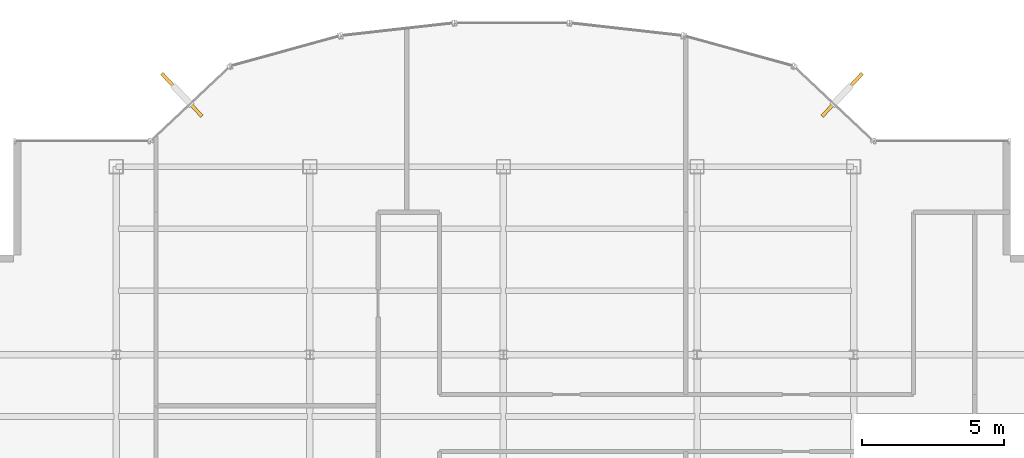
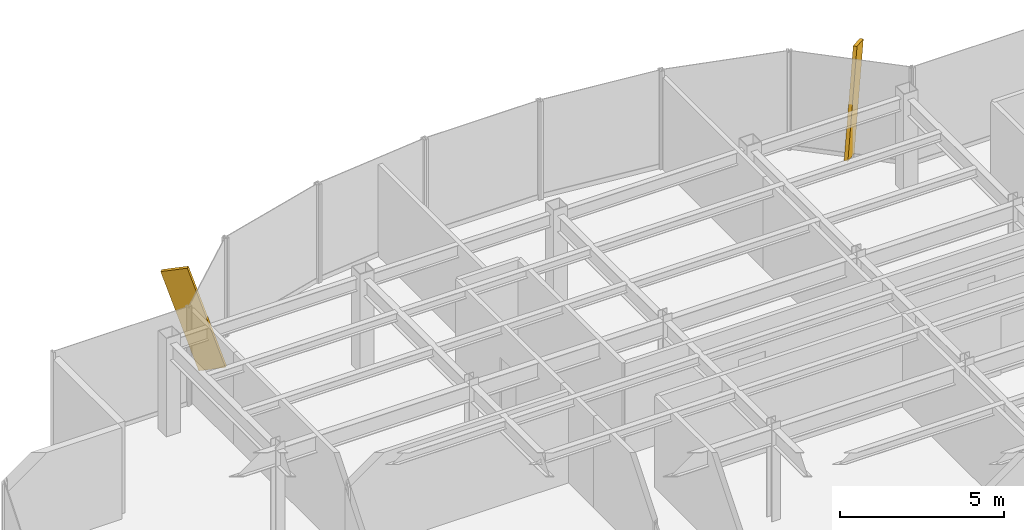
# One storey, part 21 of 22: 2 shading devices.
"""IFC4 building model written with IfcOpenShell, lengths in metres."""

from ifc_helpers import new_model, si_unit, derived_unit, direction, frame, origin, origin_2d, place, context, subcontext, project, spatial, rectangle, extrude, source, transform, mapped, material, type_object, element, save


model = new_model("IFC4")

# Units and contexts
model_context = context("Model", 3, precision=1e-05, world=origin(), true_north=direction((0.0, 1.0)))
body_context = subcontext(model_context, "Body", "Model", "MODEL_VIEW")
ifc_project = project(units=[si_unit("LENGTHUNIT", "METRE"), si_unit("AREAUNIT", "SQUARE_METRE"), si_unit("VOLUMEUNIT", "CUBIC_METRE"), si_unit("PLANEANGLEUNIT", "RADIAN"), si_unit("MASSUNIT", "GRAM", prefix="KILO"), derived_unit("THERMALTRANSMITTANCEUNIT", [(si_unit("POWERUNIT", "WATT"), 1), (si_unit("LENGTHUNIT", "METRE"), -2), (si_unit("THERMODYNAMICTEMPERATUREUNIT", "KELVIN"), -1)])], contexts=[model_context])

# Site, building, storey
site_placement = place(None, origin())
site = spatial("IfcSite", under=ifc_project, at=site_placement, CompositionType="ELEMENT")
building_placement = place(site_placement, origin())
building = spatial("IfcBuilding", under=site, at=building_placement, Name="Skarnbrae Concourse Arena and Tower", CompositionType="ELEMENT")
storey_placement = place(building_placement, frame((0.0, 0.0, 258.800048828125)))
storey = spatial("IfcBuildingStorey", under=building, at=storey_placement, Name="L67", CompositionType="ELEMENT", Elevation=258.800048828125)

# Shading devices
ifc_material = material(Name="Bronze anodised aluminium 6063-T6", Category="aluminium")
shading_device_type = type_object("IfcShadingDeviceType", Name="SHD-BRONZE-FIN-900", PredefinedType="USERDEFINED", material=ifc_material)
shared_shape = source(origin(), body_context, "Body", "SweptSolid", [
    extrude(rectangle(XDim=0.1201171875, YDim=0.89990234375, at=origin_2d()), origin(), (0.0, 0.0, 1.0), 3.64990234375),
])
for number, where, z_axis, x_axis, name in (
    (1, (32.677978515625, 36.478759765625, 0.103271484375), (0.227224184045, 0.241377537722, 0.943454320287), (0.728131751529, -0.685437198009, 0.0), "L67 Outward-leaning bronze shading fin 08"),
    (2, (10.322021484375, 36.478759765625, 0.103271484375), (-0.227224184045, 0.241377537722, 0.943454320287), (0.728131751529, 0.685437198009, 0.0), "L67 Outward-leaning bronze shading fin 14"),
):
    element("IfcShadingDevice", number, at=place(storey_placement, frame(where, z_axis=z_axis, x_axis=x_axis)), inside=storey, type_object=shading_device_type, Name=name, ObjectType="FIN", PredefinedType="USERDEFINED", context=body_context, shape_type="MappedRepresentation", body=[
        mapped(shared_shape, transform((0.0, 0.0, 0.0))),
    ])

save(model, "model.ifc")
